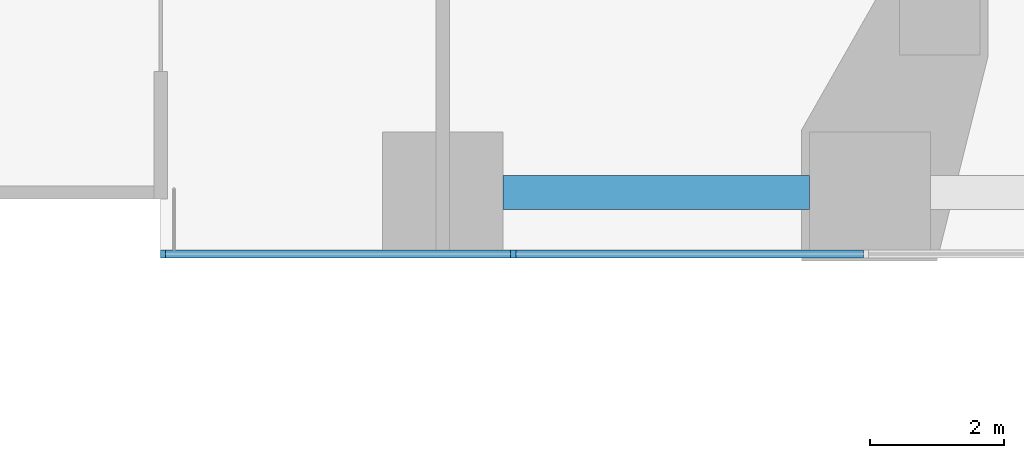
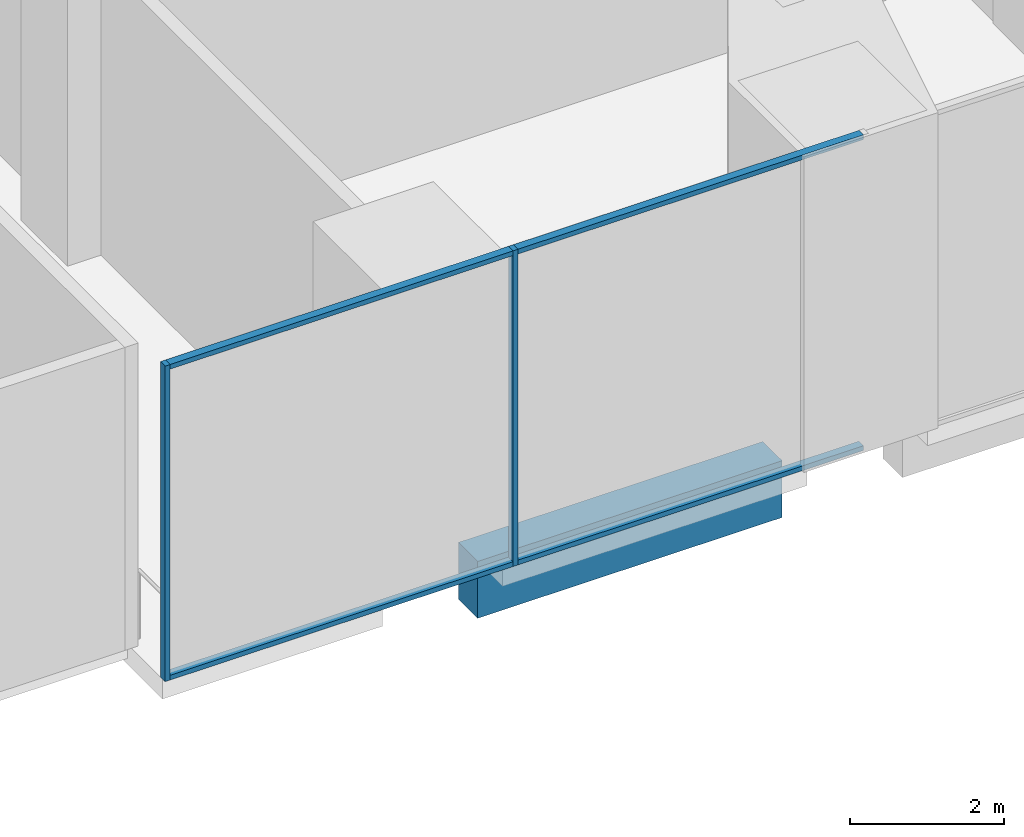
# One storey, part 5 of 28: 6 members, 1 beam, 1 element without a shape of its own.
"""IFC4 building model written with IfcOpenShell, lengths in metres."""

from ifc_helpers import new_model, si_unit, direction, frame, origin, origin_2d, place, context, subcontext, project, spatial, rectangle, extrude, material, layer, layer_set, material_profile, profile_set, type_object, element, aggregate, save


model = new_model("IFC4")

# Units and contexts
model_context = context("Model", 3, precision=1e-05, world=origin(), true_north=direction((0.0, 1.0)))
body_context = subcontext(model_context, "Body", "Model", "MODEL_VIEW")
ifc_project = project(units=[si_unit("LENGTHUNIT", "METRE"), si_unit("AREAUNIT", "SQUARE_METRE"), si_unit("VOLUMEUNIT", "CUBIC_METRE"), si_unit("PLANEANGLEUNIT", "RADIAN"), si_unit("MASSUNIT", "GRAM", prefix="KILO")], contexts=[model_context])

# Site, building, storey
site_placement = place(None, origin())
site = spatial("IfcSite", under=ifc_project, at=site_placement, CompositionType="ELEMENT")
building_placement = place(site_placement, origin())
building = spatial("IfcBuilding", under=site, at=building_placement, Name="Marenta Gate Hotel Tower", CompositionType="ELEMENT")
storey_placement = place(building_placement, frame((0.0, 0.0, 26.0)))
storey = spatial("IfcBuildingStorey", under=building, at=storey_placement, Name="L04", CompositionType="ELEMENT", Elevation=26.0)

# Curtain wall, members
ifc_material_1 = material(Name="Tinted insulated glass in bronze anodised frame", Category="glass")
ifc_layer = layer(ifc_material_1, 0.1201171875)
ifc_layer_set = layer_set([ifc_layer], Name="Tinted insulated glass in bronze anodised frame")
curtain_wall_type = type_object("IfcCurtainWallType", Name="Wellness glazing CW7", PredefinedType="NOTDEFINED", material=ifc_layer_set)
curtain_wall_placement = place(storey_placement, origin())
curtain_wall = element("IfcCurtainWall", 1, at=curtain_wall_placement, inside=storey, type_object=curtain_wall_type, Name="CW7 run NB-S100", PredefinedType="NOTDEFINED")
ifc_material_2 = material(Name="Bronze anodised aluminium", Category="aluminium")
ifc_material_profile_1 = material_profile(ifc_material_2, rectangle(XDim=0.1201171875, YDim=0.074951171875, at=origin_2d()), Name="Mullion CW7 75x120 bronze anodised aluminium")
ifc_profile_set_1 = profile_set([ifc_material_profile_1], Name="Bronze anodised aluminium")
member_type_1 = type_object("IfcMemberType", Name="Mullion CW7 75x120 bronze anodised aluminium", PredefinedType="MULLION", material=ifc_profile_set_1)
member_1_placement = place(storey_placement, frame((16.83740234375, -0.9140625, 0.0), z_axis=(0.0, 0.0, 1.0), x_axis=(0.0, 1.0, 0.0)))
member_1 = element("IfcMember", 2, at=member_1_placement, type_object=member_type_1, Name="CW7 mullion 1", PredefinedType="MULLION", context=body_context, shape_type="SweptSolid", body=[
    extrude(rectangle(XDim=0.1201171875, YDim=0.074951171875, at=origin_2d()), origin(), (0.0, 0.0, 1.0), 5.0),
])
member_2_placement = place(storey_placement, frame((22.050048828125, -0.9140625, 0.0), z_axis=(0.0, 0.0, 1.0), x_axis=(0.0, 1.0, 0.0)))
member_2 = element("IfcMember", 3, at=member_2_placement, type_object=member_type_1, Name="CW7 mullion 2", PredefinedType="MULLION", context=body_context, shape_type="SweptSolid", body=[
    extrude(rectangle(XDim=0.1201171875, YDim=0.074951171875, at=origin_2d()), origin(), (0.0, 0.0, 1.0), 5.0),
])

# Beam
ifc_material_3 = material(Name="Concrete C60", Category="concrete")
ifc_material_profile_2 = material_profile(ifc_material_3, rectangle(XDim=0.5, YDim=0.89990234375, at=origin_2d()), Name="500 x 900")
ifc_profile_set_2 = profile_set([ifc_material_profile_2], Name="Concrete C60")
beam_type = type_object("IfcBeamType", Name="Podium edge beam 500 x 900 C60", PredefinedType="BEAM", material=ifc_profile_set_2)
beam_placement = place(storey_placement, frame((21.89990234375, 0.0, -0.77001953125), z_axis=(1.0, 0.0, 0.0), x_axis=(0.0, 1.0, 0.0)))
element("IfcBeam", 4, at=beam_placement, inside=storey, type_object=beam_type, Name="L04-PBM-155", PredefinedType="BEAM", context=body_context, shape_type="SweptSolid", body=[
    extrude(rectangle(XDim=0.5, YDim=0.89990234375, at=origin_2d()), origin(), (0.0, 0.0, 1.0), 4.56298828125),
])

# Member
ifc_material_4 = material(Name="Bronze anodised aluminium", Category="aluminium")
ifc_material_profile_3 = material_profile(ifc_material_4, rectangle(XDim=0.1201171875, YDim=0.074951171875, at=origin_2d()), Name="Transom CW7 75x120 bronze anodised aluminium")
ifc_profile_set_3 = profile_set([ifc_material_profile_3], Name="Bronze anodised aluminium")
member_type_2 = type_object("IfcMemberType", Name="Transom CW7 75x120 bronze anodised aluminium", PredefinedType="USERDEFINED", material=ifc_profile_set_3)
member_3_placement = place(storey_placement, frame((16.875, -0.9140625, 0.03759765625), z_axis=(1.0, 0.0, 0.0), x_axis=(0.0, 1.0, 0.0)))
member_3 = element("IfcMember", 5, at=member_3_placement, type_object=member_type_2, Name="CW7 transom 1.1", ObjectType="TRANSOM", PredefinedType="USERDEFINED", context=body_context, shape_type="SweptSolid", body=[
    extrude(rectangle(XDim=0.1201171875, YDim=0.074951171875, at=origin_2d()), origin(), (0.0, 0.0, 1.0), 5.137451171875),
])

member_4_placement = place(storey_placement, frame((16.875, -0.9140625, 4.96240234375), z_axis=(1.0, 0.0, 0.0), x_axis=(0.0, 1.0, 0.0)))
member_4 = element("IfcMember", 6, at=member_4_placement, type_object=member_type_2, Name="CW7 transom 1.2", ObjectType="TRANSOM", PredefinedType="USERDEFINED", context=body_context, shape_type="SweptSolid", body=[
    extrude(rectangle(XDim=0.1201171875, YDim=0.074951171875, at=origin_2d()), origin(), (0.0, 0.0, 1.0), 5.137451171875),
])

member_5_placement = place(storey_placement, frame((22.08740234375, -0.9140625, 0.03759765625), z_axis=(1.0, 0.0, 0.0), x_axis=(0.0, 1.0, 0.0)))
member_5 = element("IfcMember", 7, at=member_5_placement, type_object=member_type_2, Name="CW7 transom 2.1", ObjectType="TRANSOM", PredefinedType="USERDEFINED", context=body_context, shape_type="SweptSolid", body=[
    extrude(rectangle(XDim=0.1201171875, YDim=0.074951171875, at=origin_2d()), origin(), (0.0, 0.0, 1.0), 5.175048828125),
])

member_6_placement = place(storey_placement, frame((22.08740234375, -0.9140625, 4.96240234375), z_axis=(1.0, 0.0, 0.0), x_axis=(0.0, 1.0, 0.0)))
member_6 = element("IfcMember", 8, at=member_6_placement, type_object=member_type_2, Name="CW7 transom 2.2", ObjectType="TRANSOM", PredefinedType="USERDEFINED", context=body_context, shape_type="SweptSolid", body=[
    extrude(rectangle(XDim=0.1201171875, YDim=0.074951171875, at=origin_2d()), origin(), (0.0, 0.0, 1.0), 5.175048828125),
])

aggregate(curtain_wall, [member_1, member_2, member_3, member_4, member_5, member_6])

save(model, "model.ifc")
